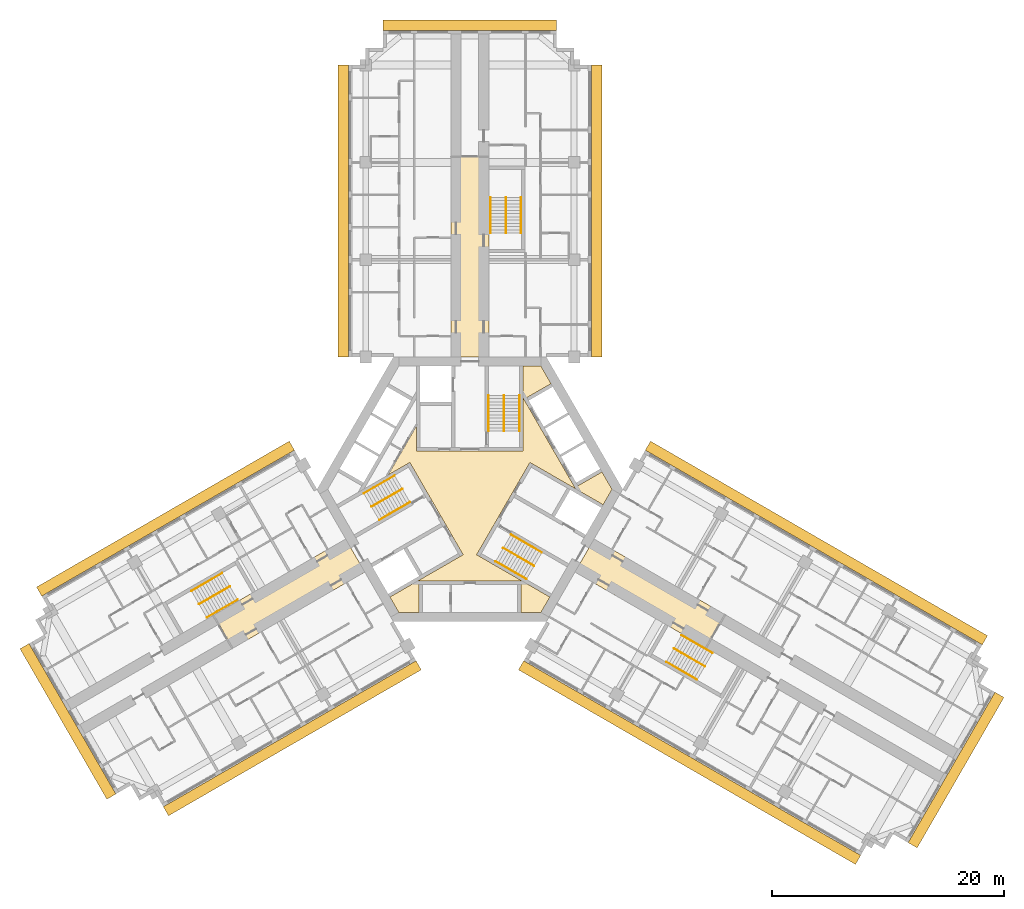
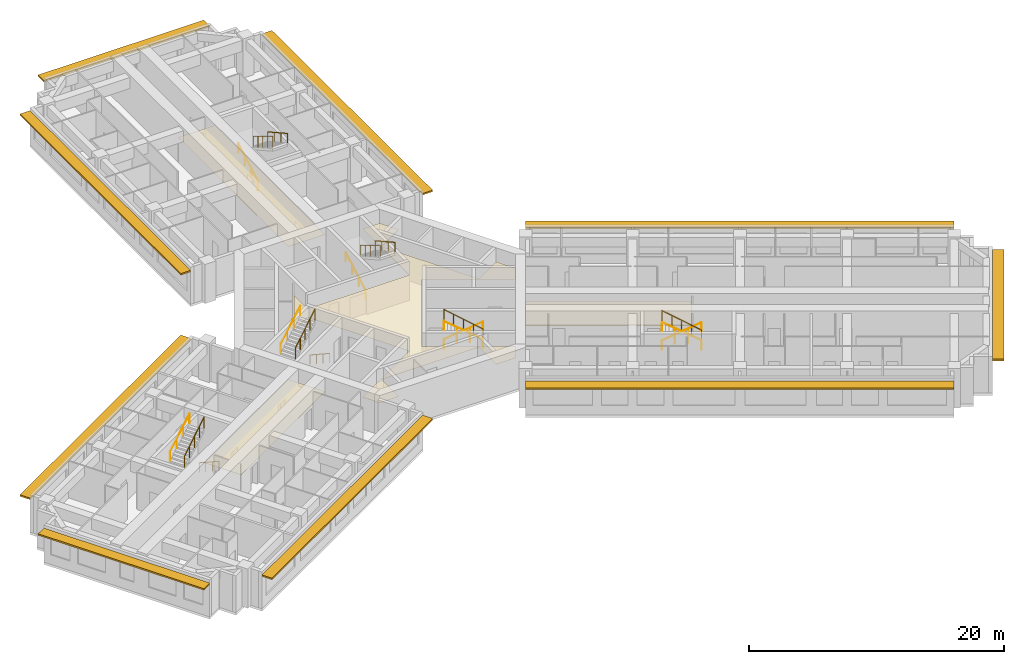
# One storey, part 13 of 13: 18 railings, 4 coverings, 3 shading devices.
"""IFC4 building model written with IfcOpenShell, lengths in metres."""

from ifc_helpers import new_model, si_unit, direction, frame, origin, origin_2d, place, context, subcontext, project, spatial, polyline, rectangle, circle, outline, extrude, material, layer, layer_set, type_object, element, save


model = new_model("IFC4")

# Units and contexts
model_context = context("Model", 3, precision=1e-05, world=origin(), true_north=direction((0.0, 1.0)))
body_context = subcontext(model_context, "Body", "Model", "MODEL_VIEW")
ifc_project = project(units=[si_unit("LENGTHUNIT", "METRE"), si_unit("AREAUNIT", "SQUARE_METRE"), si_unit("VOLUMEUNIT", "CUBIC_METRE"), si_unit("PLANEANGLEUNIT", "RADIAN"), si_unit("MASSUNIT", "GRAM", prefix="KILO")], contexts=[model_context])

# Site, building, storey
site_placement = place(None, origin())
site = spatial("IfcSite", under=ifc_project, at=site_placement, CompositionType="ELEMENT")
building_placement = place(site_placement, origin())
building = spatial("IfcBuilding", under=site, at=building_placement, Name="Impinga Residences", CompositionType="ELEMENT")
storey_placement = place(building_placement, frame((0.0, 0.0, 151.0)))
storey = spatial("IfcBuildingStorey", under=building, at=storey_placement, Name="L37", CompositionType="ELEMENT", Elevation=151.0)

# Coverings
ifc_material_1 = material(Name="Plasterboard 15 mm on steel hangers", Category="steel")
ifc_layer_1 = layer(ifc_material_1, 0.014892578125)
ifc_layer_set_1 = layer_set([ifc_layer_1], Name="Plasterboard 15 mm on steel hangers")
covering_type_1 = type_object("IfcCoveringType", Name="CL1 corridor ceiling, 15 mm plasterboard on hangers", PredefinedType="CEILING", material=ifc_layer_set_1)
covering_1_placement = place(storey_placement, frame((0.0, 0.0, 2.39990234375)))
element("IfcCovering", 1, at=covering_1_placement, inside=storey, type_object=covering_type_1, Name="Corridor ceiling CL1 L37-N00", PredefinedType="CEILING", context=body_context, shape_type="SweptSolid", body=[
    extrude(outline(polyline([(1.64990234375, 11.431640625), (-1.64990234375, 11.431640625), (-1.64990234375, 28.679931640625), (1.64990234375, 28.679931640625), (1.64990234375, 11.431640625)])), origin(), (0.0, 0.0, 1.0), 0.01513671875),
])
covering_2_placement = place(storey_placement, frame((0.0, 0.0, 2.39990234375)))
element("IfcCovering", 2, at=covering_2_placement, inside=storey, type_object=covering_type_1, Name="Corridor ceiling CL1 L37-W00", PredefinedType="CEILING", context=body_context, shape_type="SweptSolid", body=[
    extrude(outline(polyline([(-9.074951171875, -7.144775390625), (-10.72509765625, -4.286865234375), (-22.11328125, -10.86181640625), (-20.463134765625, -13.7197265625), (-9.074951171875, -7.144775390625)])), origin(), (0.0, 0.0, 1.0), 0.01513671875),
])
covering_3_placement = place(storey_placement, frame((0.0, 0.0, 2.39990234375)))
element("IfcCovering", 3, at=covering_3_placement, inside=storey, type_object=covering_type_1, Name="Corridor ceiling CL1 L37-E00", PredefinedType="CEILING", context=body_context, shape_type="SweptSolid", body=[
    extrude(outline(polyline([(9.074951171875, -7.144775390625), (10.72509765625, -4.286865234375), (21.999267578125, -10.796142578125), (20.349365234375, -13.654052734375), (9.074951171875, -7.144775390625)])), origin(), (0.0, 0.0, 1.0), 0.01513671875),
])
ifc_material_2 = material(Name="Mineral fibre tiles 20 mm on exposed grid", Category="mineral fibre")
ifc_layer_2 = layer(ifc_material_2, 0.02001953125)
ifc_layer_set_2 = layer_set([ifc_layer_2], Name="CL2 lift lobby ceiling, 20 mm mineral fibre tiles")
covering_type_2 = type_object("IfcCoveringType", Name="CL2 lift lobby ceiling, 20 mm mineral fibre tiles", PredefinedType="CEILING", material=ifc_layer_set_2)
covering_4_placement = place(storey_placement, frame((0.0, 0.0, 2.39990234375)))
element("IfcCovering", 4, at=covering_4_placement, inside=storey, type_object=covering_type_2, Name="Lift lobby ceiling CL2 L37-C01", PredefinedType="CEILING", context=body_context, shape_type="SweptSolid", body=[
    extrude(outline(polyline([(5.183837890625, 2.318603515625), (0.583984375, -5.648681640625), (6.9072265625, -9.299560546875), (6.13818359375, -10.631591796875), (4.39990234375, -10.631591796875), (4.39990234375, -7.931640625), (-4.39990234375, -7.931640625), (-4.39990234375, -10.631591796875), (-6.13818359375, -10.631591796875), (-6.9072265625, -9.299560546875), (-0.583984375, -5.648681640625), (-5.183837890625, 2.318603515625), (-7.059326171875, 1.23583984375), (-4.60009765625, 5.49560546875), (-4.60009765625, 3.330078125), (4.60009765625, 3.330078125), (4.60009765625, 10.631591796875), (6.13818359375, 10.631591796875), (7.007080078125, 9.126220703125), (4.6689453125, 7.7763671875), (9.06884765625, 0.1552734375), (11.4072265625, 1.50537109375), (12.276123046875, 0.0), (11.507080078125, -1.33203125), (5.183837890625, 2.318603515625)])), origin(), (0.0, 0.0, 1.0), 0.02001953125),
])

# Railings
ifc_material_3 = material(Name="Steel guard, powder coated", Category="steel")
railing_type_1 = type_object("IfcRailingType", Name="GR1 stair guard 1100", PredefinedType="GUARDRAIL", material=ifc_material_3)
railing_1_placement = place(storey_placement, frame((2.949951171875, 8.110107421875, 1.875)))
element("IfcRailing", 5, at=railing_1_placement, inside=storey, type_object=railing_type_1, Name="Stair guard GR1 ST1 L37", PredefinedType="GUARDRAIL", context=body_context, shape_type="SweptSolid", body=[
    extrude(circle(Radius=0.02392578125, at=origin_2d()), frame((0.0, 0.0, 1.076171875), z_axis=(0.0, -0.854177636135, 0.519981313056), x_axis=(1.0, 0.0, 0.0)), (0.0, 0.0, 1.0), 3.60595703125),
    extrude(circle(Radius=0.02099609375, at=origin_2d()), origin(), (0.0, 0.0, 1.0), 1.052001953125),
    extrude(circle(Radius=0.02099609375, at=origin_2d()), frame((0.0, -0.77001953125, 0.46875)), (0.0, 0.0, 1.0), 1.052001953125),
    extrude(circle(Radius=0.02099609375, at=origin_2d()), frame((0.0, -1.5400390625, 0.9375)), (0.0, 0.0, 1.0), 1.052001953125),
    extrude(circle(Radius=0.02099609375, at=origin_2d()), frame((0.0, -2.31005859375, 1.40625)), (0.0, 0.0, 1.0), 1.052001953125),
    extrude(circle(Radius=0.02099609375, at=origin_2d()), frame((0.0, -3.080078125, 1.875)), (0.0, 0.0, 1.0), 1.052001953125),
])
railing_2_placement = place(storey_placement, frame((-8.49853515625, -1.500244140625, 1.875)))
element("IfcRailing", 6, at=railing_2_placement, inside=storey, type_object=railing_type_1, Name="Stair guard GR1 ST2 L37", PredefinedType="GUARDRAIL", context=body_context, shape_type="SweptSolid", body=[
    extrude(circle(Radius=0.02392578125, at=origin_2d()), frame((0.0, 0.0, 1.076171875), z_axis=(0.739746383972, 0.427084037168, 0.519975492303), x_axis=(-0.499992328818, 0.866029832698, 0.0)), (0.0, 0.0, 1.0), 3.60595703125),
    extrude(circle(Radius=0.02099609375, at=origin_2d()), origin(), (0.0, 0.0, 1.0), 1.052001953125),
    extrude(circle(Radius=0.02099609375, at=origin_2d()), frame((0.6669921875, 0.385009765625, 0.46875)), (0.0, 0.0, 1.0), 1.052001953125),
    extrude(circle(Radius=0.02099609375, at=origin_2d()), frame((1.333740234375, 0.77001953125, 0.9375)), (0.0, 0.0, 1.0), 1.052001953125),
    extrude(circle(Radius=0.02099609375, at=origin_2d()), frame((2.00048828125, 1.155029296875, 1.40625)), (0.0, 0.0, 1.0), 1.052001953125),
    extrude(circle(Radius=0.02099609375, at=origin_2d()), frame((2.66748046875, 1.5400390625, 1.875)), (0.0, 0.0, 1.0), 1.052001953125),
])
railing_3_placement = place(storey_placement, frame((5.548583984375, -6.60986328125, 1.875)))
element("IfcRailing", 7, at=railing_3_placement, inside=storey, type_object=railing_type_1, Name="Stair guard GR1 ST3 L37", PredefinedType="GUARDRAIL", context=body_context, shape_type="SweptSolid", body=[
    extrude(circle(Radius=0.02392578125, at=origin_2d()), frame((0.0, 0.0, 1.076171875), z_axis=(-0.739746383972, 0.427084037168, 0.519975492303), x_axis=(-0.499992328818, -0.866029832698, 0.0)), (0.0, 0.0, 1.0), 3.60595703125),
    extrude(circle(Radius=0.02099609375, at=origin_2d()), origin(), (0.0, 0.0, 1.0), 1.052001953125),
    extrude(circle(Radius=0.02099609375, at=origin_2d()), frame((-0.6669921875, 0.385009765625, 0.46875)), (0.0, 0.0, 1.0), 1.052001953125),
    extrude(circle(Radius=0.02099609375, at=origin_2d()), frame((-1.333740234375, 0.77001953125, 0.9375)), (0.0, 0.0, 1.0), 1.052001953125),
    extrude(circle(Radius=0.02099609375, at=origin_2d()), frame((-2.00048828125, 1.155029296875, 1.40625)), (0.0, 0.0, 1.0), 1.052001953125),
    extrude(circle(Radius=0.02099609375, at=origin_2d()), frame((-2.66748046875, 1.5400390625, 1.875)), (0.0, 0.0, 1.0), 1.052001953125),
])
railing_4_placement = place(storey_placement, frame((3.10009765625, 25.21142578125, 1.875)))
element("IfcRailing", 8, at=railing_4_placement, inside=storey, type_object=railing_type_1, Name="Stair guard GR1 WS1 L37", PredefinedType="GUARDRAIL", context=body_context, shape_type="SweptSolid", body=[
    extrude(circle(Radius=0.02392578125, at=origin_2d()), frame((0.0, 0.0, 1.076171875), z_axis=(0.0, -0.854159328187, 0.520011386482), x_axis=(1.0, 0.0, 0.0)), (0.0, 0.0, 1.0), 3.605712890625),
    extrude(circle(Radius=0.02099609375, at=origin_2d()), origin(), (0.0, 0.0, 1.0), 1.052001953125),
    extrude(circle(Radius=0.02099609375, at=origin_2d()), frame((0.0, -0.77001953125, 0.46875)), (0.0, 0.0, 1.0), 1.052001953125),
    extrude(circle(Radius=0.02099609375, at=origin_2d()), frame((0.0, -1.5400390625, 0.9375)), (0.0, 0.0, 1.0), 1.052001953125),
    extrude(circle(Radius=0.02099609375, at=origin_2d()), frame((0.0, -2.309814453125, 1.40625)), (0.0, 0.0, 1.0), 1.052001953125),
    extrude(circle(Radius=0.02099609375, at=origin_2d()), frame((0.0, -3.079833984375, 1.875)), (0.0, 0.0, 1.0), 1.052001953125),
])
railing_5_placement = place(storey_placement, frame((-23.3837890625, -9.921142578125, 1.875)))
element("IfcRailing", 9, at=railing_5_placement, inside=storey, type_object=railing_type_1, Name="Stair guard GR1 WS2 L37", PredefinedType="GUARDRAIL", context=body_context, shape_type="SweptSolid", body=[
    extrude(circle(Radius=0.02392578125, at=origin_2d()), frame((0.0, 0.0, 1.076171875), z_axis=(0.739715726454, 0.427105428144, 0.52000153585), x_axis=(-0.500026652407, 0.866010015463, 0.0)), (0.0, 0.0, 1.0), 3.605712890625),
    extrude(circle(Radius=0.02099609375, at=origin_2d()), origin(), (0.0, 0.0, 1.0), 1.052001953125),
    extrude(circle(Radius=0.02099609375, at=origin_2d()), frame((0.666748046875, 0.385009765625, 0.46875)), (0.0, 0.0, 1.0), 1.052001953125),
    extrude(circle(Radius=0.02099609375, at=origin_2d()), frame((1.33349609375, 0.77001953125, 0.9375)), (0.0, 0.0, 1.0), 1.052001953125),
    extrude(circle(Radius=0.02099609375, at=origin_2d()), frame((2.00048828125, 1.155029296875, 1.40625)), (0.0, 0.0, 1.0), 1.052001953125),
    extrude(circle(Radius=0.02099609375, at=origin_2d()), frame((2.667236328125, 1.5400390625, 1.875)), (0.0, 0.0, 1.0), 1.052001953125),
])
railing_6_placement = place(storey_placement, frame((20.283935546875, -15.29052734375, 1.875)))
element("IfcRailing", 10, at=railing_6_placement, inside=storey, type_object=railing_type_1, Name="Stair guard GR1 WS3 L37", PredefinedType="GUARDRAIL", context=body_context, shape_type="SweptSolid", body=[
    extrude(circle(Radius=0.02392578125, at=origin_2d()), frame((0.0, 0.0, 1.076171875), z_axis=(-0.739746383972, 0.427084037168, 0.519975492303), x_axis=(-0.499992328818, -0.866029832698, 0.0)), (0.0, 0.0, 1.0), 3.60595703125),
    extrude(circle(Radius=0.02099609375, at=origin_2d()), origin(), (0.0, 0.0, 1.0), 1.052001953125),
    extrude(circle(Radius=0.02099609375, at=origin_2d()), frame((-0.6669921875, 0.385009765625, 0.46875)), (0.0, 0.0, 1.0), 1.052001953125),
    extrude(circle(Radius=0.02099609375, at=origin_2d()), frame((-1.333740234375, 0.77001953125, 0.9375)), (0.0, 0.0, 1.0), 1.052001953125),
    extrude(circle(Radius=0.02099609375, at=origin_2d()), frame((-2.00048828125, 1.155029296875, 1.40625)), (0.0, 0.0, 1.0), 1.052001953125),
    extrude(circle(Radius=0.02099609375, at=origin_2d()), frame((-2.66748046875, 1.5400390625, 1.875)), (0.0, 0.0, 1.0), 1.052001953125),
])
ifc_material_4 = material(Name="Steel handrail tube 42 mm, powder coated", Category="steel")
railing_type_2 = type_object("IfcRailingType", Name="HR1 stair handrail, 42 mm steel tube, 900 above the pitch line", PredefinedType="HANDRAIL", material=ifc_material_4)
railing_7_placement = place(storey_placement, frame((1.62109375, 5.030029296875, 0.15625)))
element("IfcRailing", 11, at=railing_7_placement, inside=storey, type_object=railing_type_2, Name="Stair handrail HR1 ST1 L37", PredefinedType="HANDRAIL", context=body_context, shape_type="SweptSolid", body=[
    extrude(circle(Radius=0.02099609375, at=origin_2d()), frame((0.0, 0.0, 0.87890625), z_axis=(0.0, 0.873241540666, 0.487287606713), x_axis=(-1.0, 0.0, 0.0)), (0.0, 0.0, 1.0), 3.527099609375),
    extrude(circle(Radius=0.012451171875, at=origin_2d()), origin(), (0.0, 0.0, 1.0), 0.85791015625),
    extrude(circle(Radius=0.012451171875, at=origin_2d()), frame((0.0, 1.026611328125, 0.572998046875)), (0.0, 0.0, 1.0), 0.85791015625),
    extrude(circle(Radius=0.012451171875, at=origin_2d()), frame((0.0, 2.053466796875, 1.145751953125)), (0.0, 0.0, 1.0), 0.85791015625),
    extrude(circle(Radius=0.012451171875, at=origin_2d()), frame((0.0, 3.080078125, 1.71875)), (0.0, 0.0, 1.0), 0.85791015625),
])
railing_8_placement = place(storey_placement, frame((4.279052734375, 8.110107421875, 2.03125)))
element("IfcRailing", 12, at=railing_8_placement, inside=storey, type_object=railing_type_2, Name="Stair handrail HR1 ST1 L37", PredefinedType="HANDRAIL", context=body_context, shape_type="SweptSolid", body=[
    extrude(circle(Radius=0.02099609375, at=origin_2d()), frame((0.0, 0.0, 0.87890625), z_axis=(0.0, -0.873241540666, 0.487287606713), x_axis=(1.0, 0.0, 0.0)), (0.0, 0.0, 1.0), 3.527099609375),
    extrude(circle(Radius=0.012451171875, at=origin_2d()), origin(), (0.0, 0.0, 1.0), 0.85791015625),
    extrude(circle(Radius=0.012451171875, at=origin_2d()), frame((0.0, -1.026611328125, 0.572998046875)), (0.0, 0.0, 1.0), 0.85791015625),
    extrude(circle(Radius=0.012451171875, at=origin_2d()), frame((0.0, -2.053466796875, 1.145751953125)), (0.0, 0.0, 1.0), 0.85791015625),
    extrude(circle(Radius=0.012451171875, at=origin_2d()), frame((0.0, -3.080078125, 1.71875)), (0.0, 0.0, 1.0), 0.85791015625),
])
railing_9_placement = place(storey_placement, frame((-5.16650390625, -1.111083984375, 0.15625)))
element("IfcRailing", 13, at=railing_9_placement, inside=storey, type_object=railing_type_2, Name="Stair handrail HR1 ST2 L37", PredefinedType="HANDRAIL", context=body_context, shape_type="SweptSolid", body=[
    extrude(circle(Radius=0.02099609375, at=origin_2d()), frame((0.0, 0.0, 0.87890625), z_axis=(-0.756255980417, -0.436615662133, 0.487281905742), x_axis=(0.499992328818, -0.866029832698, 0.0)), (0.0, 0.0, 1.0), 3.527099609375),
    extrude(circle(Radius=0.012451171875, at=origin_2d()), origin(), (0.0, 0.0, 1.0), 0.85791015625),
    extrude(circle(Radius=0.012451171875, at=origin_2d()), frame((-0.88916015625, -0.513427734375, 0.572998046875)), (0.0, 0.0, 1.0), 0.85791015625),
    extrude(circle(Radius=0.012451171875, at=origin_2d()), frame((-1.7783203125, -1.026611328125, 1.145751953125)), (0.0, 0.0, 1.0), 0.85791015625),
    extrude(circle(Radius=0.012451171875, at=origin_2d()), frame((-2.66748046875, -1.5400390625, 1.71875)), (0.0, 0.0, 1.0), 0.85791015625),
])
railing_10_placement = place(storey_placement, frame((-9.1630859375, -0.349365234375, 2.03125)))
element("IfcRailing", 14, at=railing_10_placement, inside=storey, type_object=railing_type_2, Name="Stair handrail HR1 ST2 L37", PredefinedType="HANDRAIL", context=body_context, shape_type="SweptSolid", body=[
    extrude(circle(Radius=0.02099609375, at=origin_2d()), frame((0.0, 0.0, 0.87890625), z_axis=(0.756255980417, 0.436615662133, 0.487281905742), x_axis=(-0.499992328818, 0.866029832698, 0.0)), (0.0, 0.0, 1.0), 3.527099609375),
    extrude(circle(Radius=0.012451171875, at=origin_2d()), origin(), (0.0, 0.0, 1.0), 0.85791015625),
    extrude(circle(Radius=0.012451171875, at=origin_2d()), frame((0.88916015625, 0.513427734375, 0.572998046875)), (0.0, 0.0, 1.0), 0.85791015625),
    extrude(circle(Radius=0.012451171875, at=origin_2d()), frame((1.7783203125, 1.026611328125, 1.145751953125)), (0.0, 0.0, 1.0), 0.85791015625),
    extrude(circle(Radius=0.012451171875, at=origin_2d()), frame((2.66748046875, 1.5400390625, 1.71875)), (0.0, 0.0, 1.0), 0.85791015625),
])
railing_11_placement = place(storey_placement, frame((3.545654296875, -3.9189453125, 0.15625)))
element("IfcRailing", 15, at=railing_11_placement, inside=storey, type_object=railing_type_2, Name="Stair handrail HR1 ST3 L37", PredefinedType="HANDRAIL", context=body_context, shape_type="SweptSolid", body=[
    extrude(circle(Radius=0.02099609375, at=origin_2d()), frame((0.0, 0.0, 0.87890625), z_axis=(0.756249203677, -0.436582492228, 0.487322141317), x_axis=(0.499967199496, 0.866044340336, 0.0)), (0.0, 0.0, 1.0), 3.52685546875),
    extrude(circle(Radius=0.012451171875, at=origin_2d()), origin(), (0.0, 0.0, 1.0), 0.85791015625),
    extrude(circle(Radius=0.012451171875, at=origin_2d()), frame((0.88916015625, -0.51318359375, 0.572998046875)), (0.0, 0.0, 1.0), 0.85791015625),
    extrude(circle(Radius=0.012451171875, at=origin_2d()), frame((1.778076171875, -1.026611328125, 1.145751953125)), (0.0, 0.0, 1.0), 0.85791015625),
    extrude(circle(Radius=0.012451171875, at=origin_2d()), frame((2.667236328125, -1.539794921875, 1.71875)), (0.0, 0.0, 1.0), 0.85791015625),
])
railing_12_placement = place(storey_placement, frame((4.884033203125, -7.7607421875, 2.03125)))
element("IfcRailing", 16, at=railing_12_placement, inside=storey, type_object=railing_type_2, Name="Stair handrail HR1 ST3 L37", PredefinedType="HANDRAIL", context=body_context, shape_type="SweptSolid", body=[
    extrude(circle(Radius=0.02099609375, at=origin_2d()), frame((0.0, 0.0, 0.87890625), z_axis=(-0.756255980417, 0.436615662133, 0.487281905742), x_axis=(-0.499992328818, -0.866029832698, 0.0)), (0.0, 0.0, 1.0), 3.527099609375),
    extrude(circle(Radius=0.012451171875, at=origin_2d()), origin(), (0.0, 0.0, 1.0), 0.85791015625),
    extrude(circle(Radius=0.012451171875, at=origin_2d()), frame((-0.88916015625, 0.513427734375, 0.572998046875)), (0.0, 0.0, 1.0), 0.85791015625),
    extrude(circle(Radius=0.012451171875, at=origin_2d()), frame((-1.7783203125, 1.026611328125, 1.145751953125)), (0.0, 0.0, 1.0), 0.85791015625),
    extrude(circle(Radius=0.012451171875, at=origin_2d()), frame((-2.66748046875, 1.5400390625, 1.71875)), (0.0, 0.0, 1.0), 0.85791015625),
])
railing_13_placement = place(storey_placement, frame((1.77099609375, 22.131591796875, 0.15625)))
element("IfcRailing", 17, at=railing_13_placement, inside=storey, type_object=railing_type_2, Name="Stair handrail HR1 WS1 L37", PredefinedType="HANDRAIL", context=body_context, shape_type="SweptSolid", body=[
    extrude(circle(Radius=0.02099609375, at=origin_2d()), frame((0.0, 0.0, 0.87890625), z_axis=(0.0, 0.873225103656, 0.487317061414), x_axis=(-1.0, 0.0, 0.0)), (0.0, 0.0, 1.0), 3.52685546875),
    extrude(circle(Radius=0.012451171875, at=origin_2d()), origin(), (0.0, 0.0, 1.0), 0.85791015625),
    extrude(circle(Radius=0.012451171875, at=origin_2d()), frame((0.0, 1.026611328125, 0.572998046875)), (0.0, 0.0, 1.0), 0.85791015625),
    extrude(circle(Radius=0.012451171875, at=origin_2d()), frame((0.0, 2.05322265625, 1.145751953125)), (0.0, 0.0, 1.0), 0.85791015625),
    extrude(circle(Radius=0.012451171875, at=origin_2d()), frame((0.0, 3.079833984375, 1.71875)), (0.0, 0.0, 1.0), 0.85791015625),
])
railing_14_placement = place(storey_placement, frame((4.428955078125, 25.21142578125, 2.03125)))
element("IfcRailing", 18, at=railing_14_placement, inside=storey, type_object=railing_type_2, Name="Stair handrail HR1 WS1 L37", PredefinedType="HANDRAIL", context=body_context, shape_type="SweptSolid", body=[
    extrude(circle(Radius=0.02099609375, at=origin_2d()), frame((0.0, 0.0, 0.87890625), z_axis=(0.0, -0.873225103656, 0.487317061414), x_axis=(1.0, 0.0, 0.0)), (0.0, 0.0, 1.0), 3.52685546875),
    extrude(circle(Radius=0.012451171875, at=origin_2d()), origin(), (0.0, 0.0, 1.0), 0.85791015625),
    extrude(circle(Radius=0.012451171875, at=origin_2d()), frame((0.0, -1.026611328125, 0.572998046875)), (0.0, 0.0, 1.0), 0.85791015625),
    extrude(circle(Radius=0.012451171875, at=origin_2d()), frame((0.0, -2.05322265625, 1.145751953125)), (0.0, 0.0, 1.0), 0.85791015625),
    extrude(circle(Radius=0.012451171875, at=origin_2d()), frame((0.0, -3.079833984375, 1.71875)), (0.0, 0.0, 1.0), 0.85791015625),
])
railing_15_placement = place(storey_placement, frame((-20.052001953125, -9.531982421875, 0.15625)))
element("IfcRailing", 19, at=railing_15_placement, inside=storey, type_object=railing_type_2, Name="Stair handrail HR1 WS2 L37", PredefinedType="HANDRAIL", context=body_context, shape_type="SweptSolid", body=[
    extrude(circle(Radius=0.02099609375, at=origin_2d()), frame((0.0, 0.0, 0.87890625), z_axis=(-0.756226348243, -0.436638517594, 0.487307413422), x_axis=(0.500026652407, -0.866010015463, 0.0)), (0.0, 0.0, 1.0), 3.527099609375),
    extrude(circle(Radius=0.012451171875, at=origin_2d()), origin(), (0.0, 0.0, 1.0), 0.85791015625),
    extrude(circle(Radius=0.012451171875, at=origin_2d()), frame((-0.88916015625, -0.513427734375, 0.572998046875)), (0.0, 0.0, 1.0), 0.85791015625),
    extrude(circle(Radius=0.012451171875, at=origin_2d()), frame((-1.778076171875, -1.026611328125, 1.145751953125)), (0.0, 0.0, 1.0), 0.85791015625),
    extrude(circle(Radius=0.012451171875, at=origin_2d()), frame((-2.667236328125, -1.5400390625, 1.71875)), (0.0, 0.0, 1.0), 0.85791015625),
])
railing_16_placement = place(storey_placement, frame((-24.04833984375, -8.77001953125, 2.03125)))
element("IfcRailing", 20, at=railing_16_placement, inside=storey, type_object=railing_type_2, Name="Stair handrail HR1 WS2 L37", PredefinedType="HANDRAIL", context=body_context, shape_type="SweptSolid", body=[
    extrude(circle(Radius=0.02099609375, at=origin_2d()), frame((0.0, 0.0, 0.87890625), z_axis=(0.756278834354, 0.436559638319, 0.487296631324), x_axis=(-0.499932877268, 0.866064153644, 0.0)), (0.0, 0.0, 1.0), 3.527099609375),
    extrude(circle(Radius=0.012451171875, at=origin_2d()), origin(), (0.0, 0.0, 1.0), 0.85791015625),
    extrude(circle(Radius=0.012451171875, at=origin_2d()), frame((0.88916015625, 0.51318359375, 0.572998046875)), (0.0, 0.0, 1.0), 0.85791015625),
    extrude(circle(Radius=0.012451171875, at=origin_2d()), frame((1.7783203125, 1.026611328125, 1.145751953125)), (0.0, 0.0, 1.0), 0.85791015625),
    extrude(circle(Radius=0.012451171875, at=origin_2d()), frame((2.66748046875, 1.539794921875, 1.71875)), (0.0, 0.0, 1.0), 0.85791015625),
])
railing_17_placement = place(storey_placement, frame((18.281005859375, -12.599609375, 0.15625)))
element("IfcRailing", 21, at=railing_17_placement, inside=storey, type_object=railing_type_2, Name="Stair handrail HR1 WS3 L37", PredefinedType="HANDRAIL", context=body_context, shape_type="SweptSolid", body=[
    extrude(circle(Radius=0.02099609375, at=origin_2d()), frame((0.0, 0.0, 0.87890625), z_axis=(0.756249203677, -0.436582492228, 0.487322141317), x_axis=(0.499967199496, 0.866044340336, 0.0)), (0.0, 0.0, 1.0), 3.52685546875),
    extrude(circle(Radius=0.012451171875, at=origin_2d()), origin(), (0.0, 0.0, 1.0), 0.85791015625),
    extrude(circle(Radius=0.012451171875, at=origin_2d()), frame((0.88916015625, -0.51318359375, 0.572998046875)), (0.0, 0.0, 1.0), 0.85791015625),
    extrude(circle(Radius=0.012451171875, at=origin_2d()), frame((1.778076171875, -1.026611328125, 1.145751953125)), (0.0, 0.0, 1.0), 0.85791015625),
    extrude(circle(Radius=0.012451171875, at=origin_2d()), frame((2.667236328125, -1.539794921875, 1.71875)), (0.0, 0.0, 1.0), 0.85791015625),
])
railing_18_placement = place(storey_placement, frame((19.619384765625, -16.44140625, 2.03125)))
element("IfcRailing", 22, at=railing_18_placement, inside=storey, type_object=railing_type_2, Name="Stair handrail HR1 WS3 L37", PredefinedType="HANDRAIL", context=body_context, shape_type="SweptSolid", body=[
    extrude(circle(Radius=0.02099609375, at=origin_2d()), frame((0.0, 0.0, 0.87890625), z_axis=(-0.756255980417, 0.436615662133, 0.487281905742), x_axis=(-0.499992328818, -0.866029832698, 0.0)), (0.0, 0.0, 1.0), 3.527099609375),
    extrude(circle(Radius=0.012451171875, at=origin_2d()), origin(), (0.0, 0.0, 1.0), 0.85791015625),
    extrude(circle(Radius=0.012451171875, at=origin_2d()), frame((-0.88916015625, 0.513427734375, 0.572998046875)), (0.0, 0.0, 1.0), 0.85791015625),
    extrude(circle(Radius=0.012451171875, at=origin_2d()), frame((-1.7783203125, 1.026611328125, 1.145751953125)), (0.0, 0.0, 1.0), 0.85791015625),
    extrude(circle(Radius=0.012451171875, at=origin_2d()), frame((-2.66748046875, 1.5400390625, 1.71875)), (0.0, 0.0, 1.0), 0.85791015625),
])

# Shading devices
ifc_material_5 = material(Name="Terracotta sunshade blades on aluminium brackets", Category="masonry")
ifc_layer_3 = layer(ifc_material_5, 0.14990234375)
ifc_layer_set_3 = layer_set([ifc_layer_3], Name="SS1 SUNSHADE terracotta sunshade band 900")
shading_device_type = type_object("IfcShadingDeviceType", Name="SS1 SUNSHADE terracotta sunshade band 900", PredefinedType="USERDEFINED", material=ifc_layer_set_3)
shading_device_1_placement = place(storey_placement, frame((-10.949951171875, 24.031494140625, 3.10009765625), z_axis=(0.0, 0.0, 1.0), x_axis=(0.0, 1.0, 0.0)))
element("IfcShadingDevice", 23, at=shading_device_1_placement, inside=storey, type_object=shading_device_type, Name="SUNSHADE band L37 NORTH WING", ObjectType="SUNSHADE", PredefinedType="USERDEFINED", context=body_context, shape_type="SweptSolid", body=[
    extrude(rectangle(XDim=25.199951171875, YDim=0.89990234375, at=origin_2d()), origin(), (0.0, 0.0, 1.0), 0.14990234375),
    extrude(rectangle(XDim=15.0, YDim=0.89990234375, at=origin_2d()), frame((16.050048828125, -10.949951171875, 0.0), z_axis=(0.0, 0.0, 1.0), x_axis=(0.0, -1.0, 0.0)), (0.0, 0.0, 1.0), 0.14990234375),
    extrude(rectangle(XDim=25.199951171875, YDim=0.89990234375, at=origin_2d()), frame((0.0, -21.89990234375, 0.0), z_axis=(0.0, 0.0, 1.0), x_axis=(-1.0, 0.0, 0.0)), (0.0, 0.0, 1.0), 0.14990234375),
])
shading_device_2_placement = place(storey_placement, frame((-15.3369140625, -21.498779296875, 3.10009765625), z_axis=(0.0, 0.0, 1.0), x_axis=(-0.866025403784, -0.5, 0.0)))
element("IfcShadingDevice", 24, at=shading_device_2_placement, inside=storey, type_object=shading_device_type, Name="SUNSHADE band L37 WEST WING", ObjectType="SUNSHADE", PredefinedType="USERDEFINED", context=body_context, shape_type="SweptSolid", body=[
    extrude(rectangle(XDim=25.199951171875, YDim=0.89990234375, at=origin_2d()), origin(), (0.0, 0.0, 1.0), 0.14990234375),
    extrude(rectangle(XDim=15.0, YDim=0.89990234375, at=origin_2d()), frame((16.050048828125, -10.949951171875, 0.0), z_axis=(0.0, 0.0, 1.0), x_axis=(0.0, -1.0, 0.0)), (0.0, 0.0, 1.0), 0.14990234375),
    extrude(rectangle(XDim=25.199951171875, YDim=0.89990234375, at=origin_2d()), frame((0.0, -21.900146484375, 0.0), z_axis=(0.0, 0.0, 1.0), x_axis=(-1.0, 0.0, 0.0)), (0.0, 0.0, 1.0), 0.14990234375),
])
shading_device_3_placement = place(storey_placement, frame((41.986328125, -24.24072265625, 3.10009765625), z_axis=(0.0, 0.0, 1.0), x_axis=(-0.5, -0.866025403784, 0.0)))
element("IfcShadingDevice", 25, at=shading_device_3_placement, inside=storey, type_object=shading_device_type, Name="SUNSHADE band L37 EAST WING", ObjectType="SUNSHADE", PredefinedType="USERDEFINED", context=body_context, shape_type="SweptSolid", body=[
    extrude(rectangle(XDim=15.0, YDim=0.89990234375, at=origin_2d()), origin(), (0.0, 0.0, 1.0), 0.14990234375),
    extrude(rectangle(XDim=33.60009765625, YDim=0.89990234375, at=origin_2d()), frame((10.949951171875, -20.250244140625, 0.0), z_axis=(0.0, 0.0, 1.0), x_axis=(0.0, -1.0, 0.0)), (0.0, 0.0, 1.0), 0.14990234375),
    extrude(rectangle(XDim=33.60009765625, YDim=0.89990234375, at=origin_2d()), frame((-10.949951171875, -20.25, 0.0), z_axis=(0.0, 0.0, 1.0), x_axis=(0.0, 1.0, 0.0)), (0.0, 0.0, 1.0), 0.14990234375),
])

save(model, "model.ifc")
